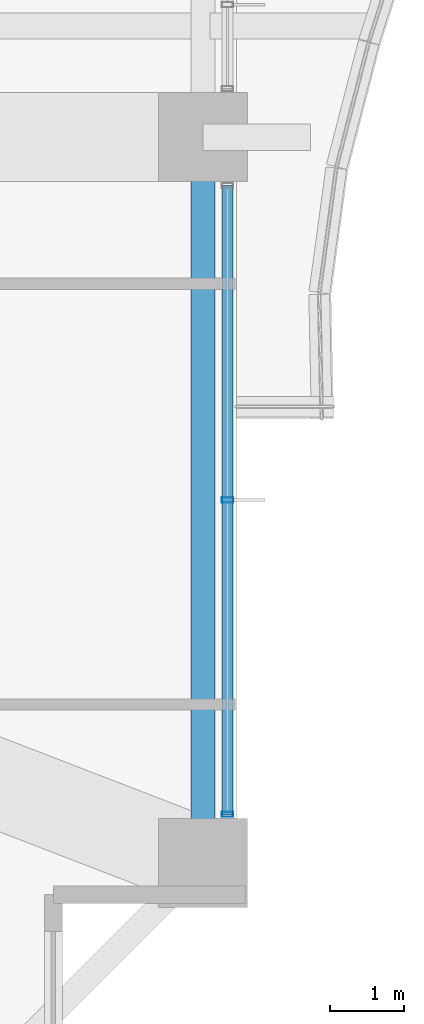
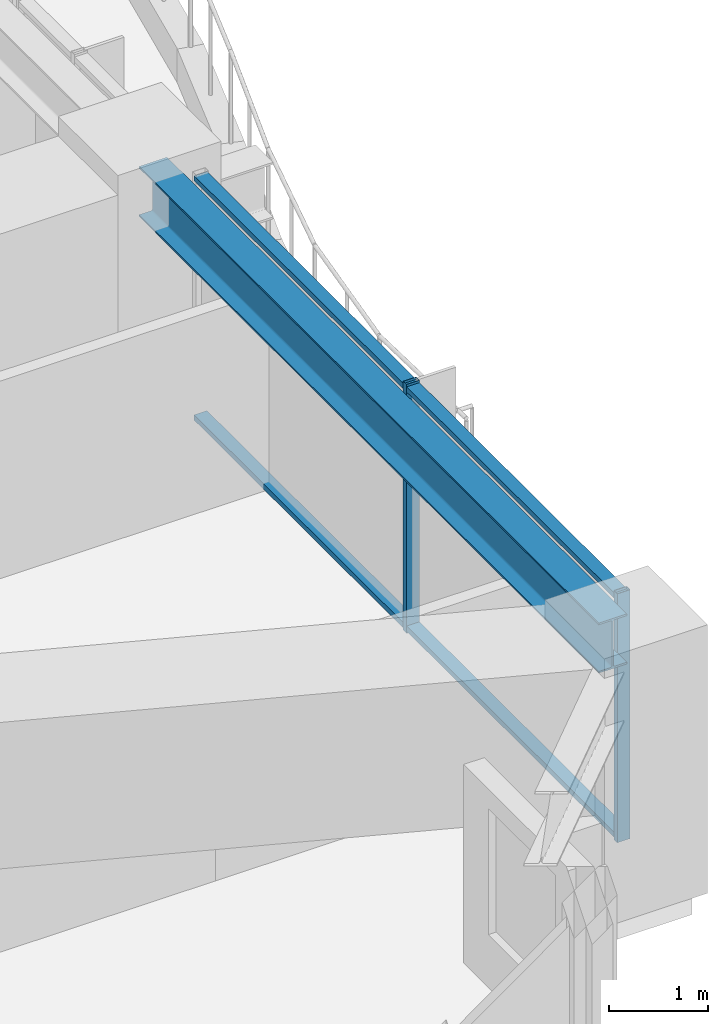
# One storey, part 14 of 39: 4 members, 1 beam, 1 element without a shape of its own.
"""IFC4 building model written with IfcOpenShell, lengths in metres."""

from ifc_helpers import new_model, si_unit, direction, frame, origin, origin_2d, place, context, subcontext, project, spatial, hollow_rectangle, i_section, extrude, material, material_profile, profile_set, type_object, element, aggregate, save


model = new_model("IFC4")

# Units and contexts
model_context = context("Model", 3, precision=1e-05, world=origin(), true_north=direction((0.0, 1.0)))
body_context = subcontext(model_context, "Body", "Model", "MODEL_VIEW")
ifc_project = project(units=[si_unit("LENGTHUNIT", "METRE"), si_unit("AREAUNIT", "SQUARE_METRE"), si_unit("VOLUMEUNIT", "CUBIC_METRE"), si_unit("PLANEANGLEUNIT", "RADIAN"), si_unit("MASSUNIT", "GRAM", prefix="KILO")], contexts=[model_context])

# Site, building, storey
site_placement = place(None, origin())
site = spatial("IfcSite", under=ifc_project, at=site_placement, CompositionType="ELEMENT")
building_placement = place(site_placement, origin())
building = spatial("IfcBuilding", under=site, at=building_placement, Name="Kolvaren Belvedere", CompositionType="ELEMENT")
storey_placement = place(building_placement, frame((0.0, 0.0, 40.300048828125)))
storey = spatial("IfcBuildingStorey", under=building, at=storey_placement, Name="L11", CompositionType="ELEMENT", Elevation=40.300048828125)

# Beam
ifc_material_1 = material(Name="Structural steel ASTM A992 Grade 50", Category="steel")
ifc_material_profile_1 = material_profile(ifc_material_1, i_section(OverallWidth=0.324951171875, OverallDepth=0.615966796875, WebThickness=0.013916015625, FlangeThickness=0.021484375, FilletRadius=0.02001953125, at=origin_2d()), Name="W24X117")
ifc_profile_set_1 = profile_set([ifc_material_profile_1], Name="Structural steel ASTM A992 Grade 50")
beam_type = type_object("IfcBeamType", Name="BM-SPAN-W24X117", PredefinedType="SPANDREL", material=ifc_profile_set_1)
beam_placement = place(storey_placement, frame((21.550048828125, -14.1298828125, 2.751953125), z_axis=(0.0, 1.0, 0.0), x_axis=(-1.0, 0.0, 0.0)))
element("IfcBeam", 1, at=beam_placement, inside=storey, type_object=beam_type, Name="L11 Perimeter Spandrel E1-E2", PredefinedType="SPANDREL", context=body_context, shape_type="SweptSolid", body=[
    extrude(i_section(OverallWidth=0.324951171875, OverallDepth=0.615966796875, WebThickness=0.013916015625, FlangeThickness=0.021484375, FilletRadius=0.02001953125, at=origin_2d()), origin(), (0.0, 0.0, 1.0), 9.259765625),
])

# Curtain wall, members
ifc_material_2 = material(Name="Anodised pale-metal aluminium AA 6063-T6", Category="aluminium")
curtain_wall_type = type_object("IfcCurtainWallType", Name="CW-Z1-LOW", PredefinedType="NOTDEFINED", material=ifc_material_2)
curtain_wall_placement = place(storey_placement, origin())
curtain_wall = element("IfcCurtainWall", 2, at=curtain_wall_placement, inside=storey, type_object=curtain_wall_type, Name="L11 Unitised Curtain Wall FCW-L11-E2-B2", PredefinedType="NOTDEFINED")
ifc_material_3 = material(Name="Anodised pale-metal aluminium AA 6063-T6", Category="aluminium")
ifc_material_profile_2 = material_profile(ifc_material_3, hollow_rectangle(XDim=0.070068359375, YDim=0.14990234375, WallThickness=0.004150390625, at=origin_2d()), Name="ALU-MUL-150X70")
ifc_profile_set_2 = profile_set([ifc_material_profile_2], Name="Anodised pale-metal aluminium AA 6063-T6")
member_type_1 = type_object("IfcMemberType", Name="CW-MUL-150", PredefinedType="MULLION", material=ifc_profile_set_2)
member_1_placement = place(storey_placement, frame((21.8798828125, -9.5, 0.0), z_axis=(0.0, 0.0, 1.0), x_axis=(0.0, 1.0, 0.0)))
member_1 = element("IfcMember", 3, at=member_1_placement, type_object=member_type_1, Name="FCW-L11-E2-B2 Unitised Mullion 2", PredefinedType="MULLION", context=body_context, shape_type="SweptSolid", body=[
    extrude(hollow_rectangle(XDim=0.070068359375, YDim=0.14990234375, WallThickness=0.004150390625, at=origin_2d()), origin(), (0.0, 0.0, 1.0), 3.06005859375),
])
member_2_placement = place(storey_placement, frame((21.8798828125, -13.7451171875, 0.0), z_axis=(0.0, 0.0, 1.0), x_axis=(0.0, 1.0, 0.0)))
member_2 = element("IfcMember", 4, at=member_2_placement, type_object=member_type_1, Name="FCW-L11-E2-B2 Unitised Mullion 3", PredefinedType="MULLION", context=body_context, shape_type="SweptSolid", body=[
    extrude(hollow_rectangle(XDim=0.070068359375, YDim=0.14990234375, WallThickness=0.004150390625, at=origin_2d()), origin(), (0.0, 0.0, 1.0), 3.06005859375),
])
ifc_material_4 = material(Name="Anodised pale-metal aluminium AA 6063-T6", Category="aluminium")
ifc_material_profile_3 = material_profile(ifc_material_4, hollow_rectangle(XDim=0.06494140625, YDim=0.14990234375, WallThickness=0.00390625, at=origin_2d()), Name="ALU-TRN-150X65")
ifc_profile_set_3 = profile_set([ifc_material_profile_3], Name="Anodised pale-metal aluminium AA 6063-T6")
member_type_2 = type_object("IfcMemberType", Name="CW-TRN-150", PredefinedType="USERDEFINED", material=ifc_profile_set_3)
member_3_placement = place(storey_placement, frame((21.8798828125, -5.2548828125, 0.06005859375), z_axis=(0.0, -1.0, 0.0), x_axis=(0.0, 0.0, 1.0)))
member_3 = element("IfcMember", 5, at=member_3_placement, type_object=member_type_2, Name="FCW-L11-E2-B2 Sill Transom", ObjectType="TRANSOM", PredefinedType="USERDEFINED", context=body_context, shape_type="SweptSolid", body=[
    extrude(hollow_rectangle(XDim=0.06494140625, YDim=0.14990234375, WallThickness=0.00390625, at=origin_2d()), origin(), (0.0, 0.0, 1.0), 8.490234375),
])
member_4_placement = place(storey_placement, frame((21.8798828125, -5.2548828125, 3.0), z_axis=(0.0, -1.0, 0.0), x_axis=(0.0, 0.0, 1.0)))
member_4 = element("IfcMember", 6, at=member_4_placement, type_object=member_type_2, Name="FCW-L11-E2-B2 Head Transom", ObjectType="TRANSOM", PredefinedType="USERDEFINED", context=body_context, shape_type="SweptSolid", body=[
    extrude(hollow_rectangle(XDim=0.06494140625, YDim=0.14990234375, WallThickness=0.00390625, at=origin_2d()), origin(), (0.0, 0.0, 1.0), 8.490234375),
])
aggregate(curtain_wall, [member_1, member_2, member_3, member_4])

save(model, "model.ifc")
